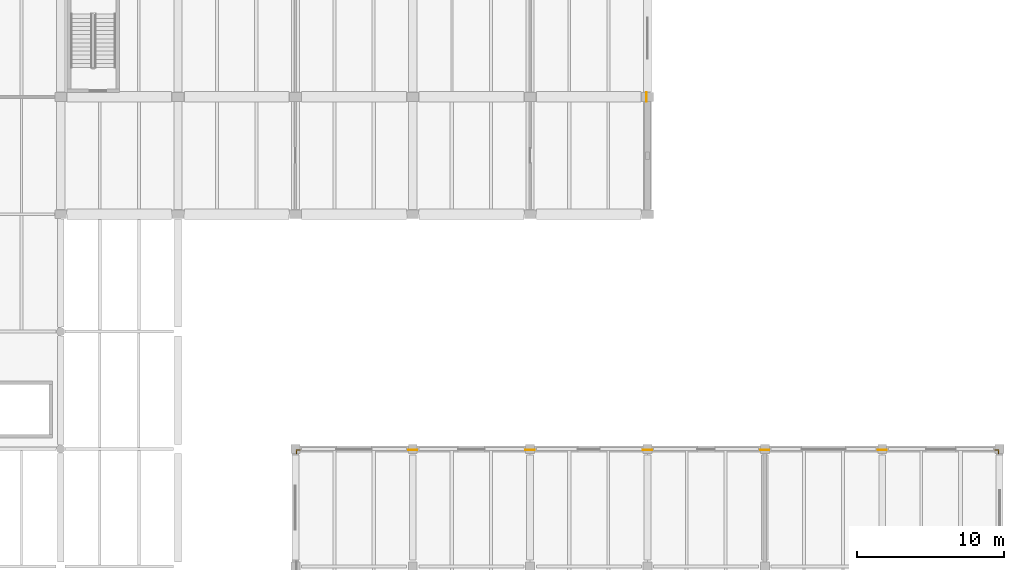
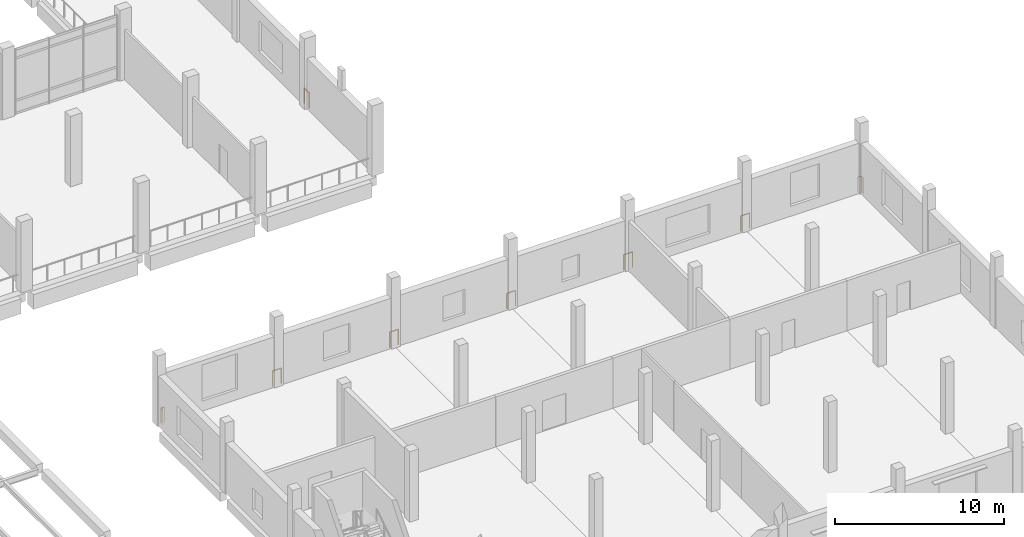
# One storey, part 59 of 61: 8 railings.
"""IFC4 building model written with IfcOpenShell, lengths in metres."""

import ifcopenshell
import ifcopenshell.guid

model = None  # the IFC model being written
_history = None  # IfcOwnerHistory: only IFC2X3 demands one
_inside = {}  # id of a spatial element -> (the spatial element, [elements in it])
_under = {}  # id of a project, library or spatial element -> (it, [spatial elements below it])
_declared = {}  # id of a project -> (the project, [libraries it declares])
_typed = {}  # id of a type object -> (the type object, [elements of that type])
_made_of = {}  # id of a material, layer set ... -> (it, [elements and type objects made of it])


def new_model(schema):
    """Start an empty IFC model of exactly this schema.

    Asked for "IFC4X3", IfcOpenShell would pick the latest addendum, in which some entities
    have other attributes; the version numbers below select the first issue.
    IFC2X3 requires an IfcOwnerHistory on every rooted entity: one is made here for all.
    """
    global model, _history
    if schema == "IFC4X3":
        model = ifcopenshell.file(schema_version=(4, 3, 0, 0))
    else:
        model = ifcopenshell.file(schema=schema)
    _inside.clear()
    _under.clear()
    _declared.clear()
    _typed.clear()
    _made_of.clear()
    _history = None
    if model.schema == "IFC2X3":
        org = make("IfcOrganization", Name="unknown")
        user = make(
            "IfcPersonAndOrganization",
            ThePerson=make("IfcPerson", FamilyName="unknown"),
            TheOrganization=org,
        )
        app = make(
            "IfcApplication",
            ApplicationDeveloper=org,
            Version="unknown",
            ApplicationFullName="unknown",
            ApplicationIdentifier="unknown",
        )
        _history = make(
            "IfcOwnerHistory",
            OwningUser=user,
            OwningApplication=app,
            ChangeAction="ADDED",
            CreationDate=0,
        )
    return model


def make(cls, **values):
    """One entity of the class cls with the attributes given. An attribute that is None is left unset."""
    return model.create_entity(
        cls, **{name: value for name, value in values.items() if value is not None}
    )


def rooted(cls, **values):
    """An entity with a GlobalId (a new one), such as an element, a storey or a relation."""
    return make(cls, GlobalId=ifcopenshell.guid.new(), OwnerHistory=_history, **values)


def si_unit(unit_type, name, prefix=None):
    """IfcSIUnit, for example si_unit("LENGTHUNIT", "METRE", prefix="MILLI")."""
    return make("IfcSIUnit", UnitType=unit_type, Prefix=prefix, Name=name)


def assignment(units):
    """IfcUnitAssignment: the units of a project."""
    return None if units is None else make("IfcUnitAssignment", Units=units)


def point(xyz):
    """IfcCartesianPoint."""
    return None if xyz is None else make("IfcCartesianPoint", Coordinates=xyz)


def direction(xyz):
    """IfcDirection."""
    return None if xyz is None else make("IfcDirection", DirectionRatios=xyz)


def frame(location, z_axis=None, x_axis=None):
    """IfcAxis2Placement3D, a coordinate frame: its origin and axes. An axis left out is left unset."""
    return make(
        "IfcAxis2Placement3D",
        Location=point(location),
        Axis=direction(z_axis),
        RefDirection=direction(x_axis),
    )


def frame_2d(location, x_axis=None):
    """IfcAxis2Placement2D, a coordinate frame in the plane: its origin and x axis."""
    return make(
        "IfcAxis2Placement2D", Location=point(location), RefDirection=direction(x_axis)
    )


def origin():
    """The frame at (0, 0, 0) with its axes left unset."""
    return frame((0.0, 0.0, 0.0))


def origin_2d():
    """The frame at (0, 0) in the plane with its x axis left unset."""
    return frame_2d((0.0, 0.0))


def place(relative_to, where):
    """IfcLocalPlacement: puts the frame where relative to a parent placement (None: the world)."""
    return make(
        "IfcLocalPlacement", PlacementRelTo=relative_to, RelativePlacement=where
    )


def context(
    kind, dimensions, precision=None, world=None, true_north=None, identifier=None
):
    """IfcGeometricRepresentationContext, for example the 3D "Model" context."""
    return make(
        "IfcGeometricRepresentationContext",
        ContextIdentifier=identifier,
        ContextType=kind,
        CoordinateSpaceDimension=dimensions,
        Precision=precision,
        WorldCoordinateSystem=world,
        TrueNorth=true_north,
    )


def subcontext(parent, identifier, kind, view, scale=None):
    """IfcGeometricRepresentationSubContext, for example "Body" below "Model"."""
    return make(
        "IfcGeometricRepresentationSubContext",
        ContextIdentifier=identifier,
        ContextType=kind,
        ParentContext=parent,
        TargetScale=scale,
        TargetView=view,
    )


def project(units=None, contexts=None):
    """IfcProject with its units and contexts."""
    return rooted(
        "IfcProject",
        Name="project",
        RepresentationContexts=contexts,
        UnitsInContext=assignment(units),
    )


def spatial(cls, under=None, at=None, **own):
    """A site, building, storey or space (cls), placed at a placement, below another one or the project."""
    s = rooted(cls, ObjectPlacement=at, **own)
    if under is not None:
        _under.setdefault(under.id(), (under, []))[1].append(s)
    return s


def profile(cls, at=None, kind="AREA", **sizes):
    """A parametric profile (cls). Its sizes go by their IFC names, for example OverallWidth=200.0."""
    return make(cls, ProfileType=kind, Position=at, **sizes)


def circle(**sizes):
    """IfcCircleProfileDef."""
    return profile("IfcCircleProfileDef", **sizes)


def extrude(swept, where, along, depth):
    """IfcExtrudedAreaSolid: the profile swept, set in the frame where, extruded along a direction by depth."""
    return make(
        "IfcExtrudedAreaSolid",
        SweptArea=swept,
        Position=where,
        ExtrudedDirection=direction(along),
        Depth=depth,
    )


def shape(context_of_items, identifier, shape_type, items):
    """IfcShapeRepresentation: the items that make up one representation, for example the "Body"."""
    return make(
        "IfcShapeRepresentation",
        ContextOfItems=context_of_items,
        RepresentationIdentifier=identifier,
        RepresentationType=shape_type,
        Items=items,
    )


def material(Name=None, Category=None):
    """IfcMaterial."""
    return make("IfcMaterial", Name=Name, Category=Category)


def made_of(thing, what):
    """Note that an element or type object is made of a material, layer set ...; save() writes the relation."""
    if what is not None:
        _made_of.setdefault(what.id(), (what, []))[1].append(thing)
    return thing


def type_object(cls, material=None, **own):
    """A type object (cls), such as IfcWallType, which elements share."""
    return made_of(rooted(cls, **own), material)


def element(
    cls,
    number,
    at=None,
    inside=None,
    cuts=None,
    type_object=None,
    material=None,
    context=None,
    identifier="Body",
    shape_type=None,
    held_by="IfcProductDefinitionShape",
    body=None,
    shapes=None,
    **own,
):
    """One element of the class cls, such as IfcWall. Its Tag is "e" and its number.

    at: its placement. inside: the storey or other place that contains it. cuts: it is an
    opening in that element (IfcRelVoidsElement). A single representation is given by context,
    identifier, shape_type and body (its items); several are given by shapes. held_by: the class
    of the entity that holds the representations. save() writes the other relations.
    """
    e = rooted(cls, Tag="e%d" % number, ObjectPlacement=at, **own)
    if body is not None:
        shapes = [shape(context, identifier, shape_type, body)]
    if shapes is not None:
        e.Representation = make(held_by, Representations=shapes)
    if inside is not None:
        _inside.setdefault(inside.id(), (inside, []))[1].append(e)
    if cuts is not None:
        rooted(
            "IfcRelVoidsElement", RelatingBuildingElement=cuts, RelatedOpeningElement=e
        )
    if type_object is not None:
        _typed.setdefault(type_object.id(), (type_object, []))[1].append(e)
    return made_of(e, material)


def aggregate(whole, parts):
    """IfcRelAggregates: a whole, such as a stair, and the parts it consists of."""
    return rooted("IfcRelAggregates", RelatingObject=whole, RelatedObjects=parts)


def save(model, path):
    """Write the relations noted so far, then the file.

    IfcRelAggregates (storeys below a building ...), IfcRelContainedInSpatialStructure (elements
    in a storey), IfcRelDefinesByType, IfcRelAssociatesMaterial and IfcRelDeclares: one each for
    every whole, place, type object, material and project.
    """
    for whole, parts in _under.values():
        aggregate(whole, parts)
    for where, things in _inside.values():
        rooted(
            "IfcRelContainedInSpatialStructure",
            RelatedElements=things,
            RelatingStructure=where,
        )
    for kind, things in _typed.values():
        rooted("IfcRelDefinesByType", RelatedObjects=things, RelatingType=kind)
    for what, things in _made_of.values():
        rooted("IfcRelAssociatesMaterial", RelatedObjects=things, RelatingMaterial=what)
    for by, libraries in _declared.values():
        rooted("IfcRelDeclares", RelatingContext=by, RelatedDefinitions=libraries)
    model.write(path)


model = new_model("IFC4")

# Units and contexts
model_context = context("Model", 3, precision=1e-05, world=origin(), true_north=direction((0.0, 1.0)))
body_context = subcontext(model_context, "Body", "Model", "MODEL_VIEW")
ifc_project = project(units=[si_unit("LENGTHUNIT", "METRE"), si_unit("AREAUNIT", "SQUARE_METRE"), si_unit("VOLUMEUNIT", "CUBIC_METRE"), si_unit("PLANEANGLEUNIT", "RADIAN"), si_unit("MASSUNIT", "GRAM", prefix="KILO")], contexts=[model_context])

# Site, building, storey
site_placement = place(None, origin())
site = spatial("IfcSite", under=ifc_project, at=site_placement, CompositionType="ELEMENT")
building_placement = place(site_placement, origin())
building = spatial("IfcBuilding", under=site, at=building_placement, Name="Pecanmere Concourse Central Library", CompositionType="ELEMENT")
storey_placement = place(building_placement, frame((0.0, 0.0, 5.39990234375)))
storey = spatial("IfcBuildingStorey", under=building, at=storey_placement, Name="L02", CompositionType="ELEMENT", Elevation=5.39990234375)

# Railings
ifc_material = material(Name="Architectural anodized bronze")
railing_type = type_object("IfcRailingType", Name="RAIL_ATRIUM_BAL", PredefinedType="BALUSTRADE", material=ifc_material)
railing_1_placement = place(storey_placement, frame((128.070068359375, 31.705078125, 0.0)))
element("IfcRailing", 1, at=railing_1_placement, inside=storey, type_object=railing_type, Name="Deck Edge Protective Balustrade L02-022", PredefinedType="BALUSTRADE", context=body_context, shape_type="SweptSolid", body=[
    extrude(circle(Radius=0.02392578125, at=origin_2d()), frame((0.0, 0.0, 1.09619140625), z_axis=(0.0, 1.0, 0.0), x_axis=(-1.0, 0.0, 0.0)), (0.0, 0.0, 1.0), 0.224609375),
    extrude(circle(Radius=0.02392578125, at=origin_2d()), frame((0.0, 0.224609375, 1.09619140625), z_axis=(1.0, 0.0, 0.0), x_axis=(0.0, 1.0, 0.0)), (0.0, 0.0, 1.0), 0.224853515625),
    extrude(circle(Radius=0.02099609375, at=origin_2d()), origin(), (0.0, 0.0, 1.0), 1.072021484375),
    extrude(circle(Radius=0.02099609375, at=origin_2d()), frame((0.0, 0.224609375, 0.0)), (0.0, 0.0, 1.0), 1.072021484375),
    extrude(circle(Radius=0.02099609375, at=origin_2d()), frame((0.224853515625, 0.224609375, 0.0)), (0.0, 0.0, 1.0), 1.072021484375),
])
for number, where, name in (
    (2, (135.705078125, 31.9296875, 0.0), "Deck Edge Protective Balustrade L02-023"),
    (3, (143.705078125, 31.9296875, 0.0), "Deck Edge Protective Balustrade L02-024"),
    (4, (151.705078125, 31.929931640625, 0.0), "Deck Edge Protective Balustrade L02-025"),
    (5, (159.705078125, 31.929931640625, 0.0), "Deck Edge Protective Balustrade L02-026"),
    (6, (167.705078125, 31.929931640625, 0.0), "Deck Edge Protective Balustrade L02-027"),
):
    element("IfcRailing", number, at=place(storey_placement, frame(where)), inside=storey, type_object=railing_type, Name=name, PredefinedType="BALUSTRADE", context=body_context, shape_type="SweptSolid", body=[
        extrude(circle(Radius=0.02392578125, at=origin_2d()), frame((0.0, 0.0, 1.09619140625), z_axis=(1.0, 0.0, 0.0), x_axis=(0.0, 1.0, 0.0)), (0.0, 0.0, 1.0), 0.58984375),
        extrude(circle(Radius=0.02099609375, at=origin_2d()), origin(), (0.0, 0.0, 1.0), 1.072021484375),
        extrude(circle(Radius=0.02099609375, at=origin_2d()), frame((0.58984375, 0.0, 0.0)), (0.0, 0.0, 1.0), 1.072021484375),
    ])
railing_2_placement = place(storey_placement, frame((175.705078125, 31.929931640625, 0.0)))
element("IfcRailing", 7, at=railing_2_placement, inside=storey, type_object=railing_type, Name="Deck Edge Protective Balustrade L02-028", PredefinedType="BALUSTRADE", context=body_context, shape_type="SweptSolid", body=[
    extrude(circle(Radius=0.02392578125, at=origin_2d()), frame((0.0, 0.0, 1.09619140625), z_axis=(1.0, 0.0, 0.0), x_axis=(0.0, 1.0, 0.0)), (0.0, 0.0, 1.0), 0.224609375),
    extrude(circle(Radius=0.02392578125, at=origin_2d()), frame((0.224609375, 0.0, 1.09619140625), z_axis=(0.0, -1.0, 0.0), x_axis=(1.0, 0.0, 0.0)), (0.0, 0.0, 1.0), 0.224853515625),
    extrude(circle(Radius=0.02099609375, at=origin_2d()), origin(), (0.0, 0.0, 1.0), 1.072021484375),
    extrude(circle(Radius=0.02099609375, at=origin_2d()), frame((0.224609375, 0.0, 0.0)), (0.0, 0.0, 1.0), 1.072021484375),
    extrude(circle(Radius=0.02099609375, at=origin_2d()), frame((0.224609375, -0.224853515625, 0.0)), (0.0, 0.0, 1.0), 1.072021484375),
])
railing_3_placement = place(storey_placement, frame((151.929931640625, 56.294921875, 0.0)))
element("IfcRailing", 8, at=railing_3_placement, inside=storey, type_object=railing_type, Name="Deck Edge Protective Balustrade L02-055", PredefinedType="BALUSTRADE", context=body_context, shape_type="SweptSolid", body=[
    extrude(circle(Radius=0.02392578125, at=origin_2d()), frame((0.0, 0.0, 1.09619140625), z_axis=(0.0, -1.0, 0.0), x_axis=(1.0, 0.0, 0.0)), (0.0, 0.0, 1.0), 0.58984375),
    extrude(circle(Radius=0.02099609375, at=origin_2d()), origin(), (0.0, 0.0, 1.0), 1.072021484375),
    extrude(circle(Radius=0.02099609375, at=origin_2d()), frame((0.0, -0.58984375, 0.0)), (0.0, 0.0, 1.0), 1.072021484375),
])

save(model, "model.ifc")
